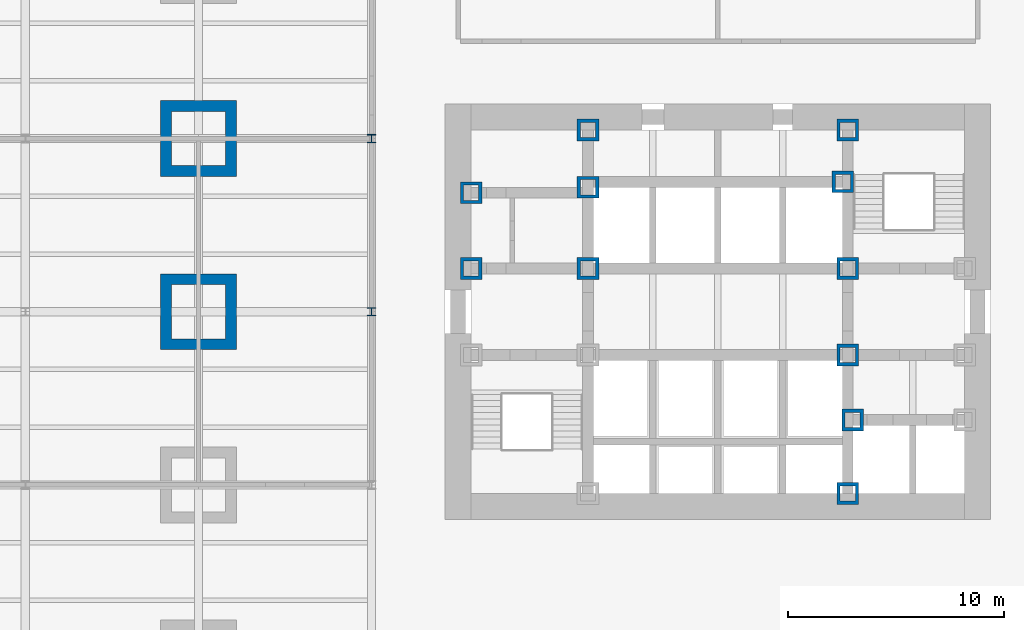
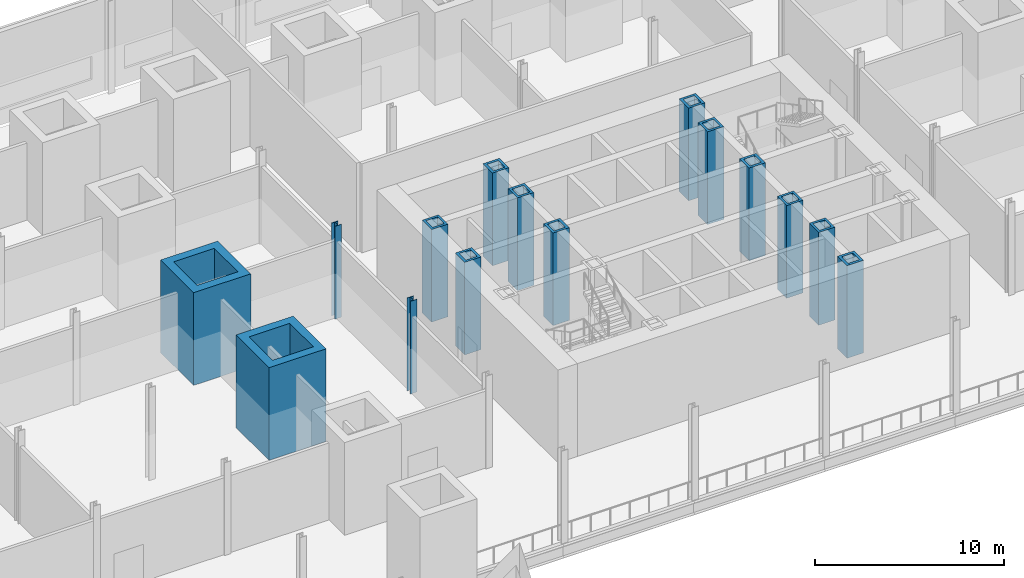
# One storey, part 4 of 21: 15 columns.
"""IFC4 building model written with IfcOpenShell, lengths in metres."""

from ifc_helpers import new_model, si_unit, direction, frame, origin, origin_2d, place, context, subcontext, project, spatial, hollow_rectangle, i_section, extrude, material, material_profile, profile_set, type_object, element, save


model = new_model("IFC4")

# Units and contexts
model_context = context("Model", 3, precision=1e-05, world=origin(), true_north=direction((0.0, 1.0)))
body_context = subcontext(model_context, "Body", "Model", "MODEL_VIEW")
ifc_project = project(units=[si_unit("LENGTHUNIT", "METRE"), si_unit("AREAUNIT", "SQUARE_METRE"), si_unit("VOLUMEUNIT", "CUBIC_METRE"), si_unit("PLANEANGLEUNIT", "RADIAN"), si_unit("MASSUNIT", "GRAM", prefix="KILO")], contexts=[model_context])

# Site, building, storey
site_placement = place(None, origin())
site = spatial("IfcSite", under=ifc_project, at=site_placement, CompositionType="ELEMENT")
building_placement = place(site_placement, origin())
building = spatial("IfcBuilding", under=site, at=building_placement, Name="Daluyong Arena Tower", CompositionType="ELEMENT")
storey_placement = place(building_placement, frame((0.0, 0.0, 19.89990234375)))
storey = spatial("IfcBuildingStorey", under=building, at=storey_placement, Name="L04", CompositionType="ELEMENT", Elevation=19.89990234375)

# Columns
ifc_material_1 = material(Name="Steel ASTM A588 Grade 50", Category="steel")
ifc_material_profile_1 = material_profile(ifc_material_1, hollow_rectangle(XDim=1.0, YDim=1.0, WallThickness=0.15, at=origin_2d()))
ifc_profile_set_1 = profile_set([ifc_material_profile_1], Name="Steel ASTM A588 Grade 50")
column_type_1 = type_object("IfcColumnType", Name="Core boundary column BX1000X150", PredefinedType="COLUMN", material=ifc_profile_set_1)
for number, where, z_axis, x_axis, name in (
    (1, (44.60009765625, 82.0, 0.0), (0.0, 0.0, 1.0), (1.0, 0.0, 0.0), "core boundary column BC1"),
    (2, (44.60009765625, 85.5, 0.0), (0.0, 0.0, 1.0), (1.0, 0.0, 0.0), "core boundary column BC1"),
    (3, (50.0, 82.0, 0.0), (0.0, 0.0, 1.0), (1.0, 0.0, 0.0), "core boundary column BC1"),
    (4, (50.0, 85.75, 0.0), (0.0, 0.0, 1.0), (1.0, 0.0, 0.0), "core boundary column BC1"),
    (5, (50.0, 88.39990234375, 0.0), (0.0, 0.0, 1.0), (1.0, 0.0, 0.0), "core boundary column BC1"),
    (6, (61.77490234375, 86.0, 0.0), (0.0, 0.0, 1.0), (1.0, 0.0, 0.0), "core boundary column BC1"),
    (7, (62.0, 71.60009765625, 0.0), (0.0, 0.0, 1.0), (1.0, 0.0, 0.0), "core boundary column BC1"),
    (8, (62.0, 78.0, 0.0), (0.0, 0.0, 1.0), (1.0, 0.0, 0.0), "core boundary column BC1"),
    (9, (62.0, 82.0, 0.0), (0.0, 0.0, 1.0), (1.0, 0.0, 0.0), "core boundary column BC1"),
    (10, (62.0, 88.39990234375, 0.0), (0.0, 0.0, 1.0), (1.0, 0.0, 0.0), "core boundary column BC1"),
    (11, (62.22509765625, 75.0, 0.0), (0.0, 0.0, 1.0), (1.0, 0.0, 0.0), "core boundary column BC1"),
):
    element("IfcColumn", number, at=place(storey_placement, frame(where, z_axis=z_axis, x_axis=x_axis)), inside=storey, type_object=column_type_1, Name=name, PredefinedType="COLUMN", context=body_context, shape_type="SweptSolid", body=[
        extrude(hollow_rectangle(XDim=1.0, YDim=1.0, WallThickness=0.15, at=origin_2d()), origin(), (0.0, 0.0, 1.0), 6.0),
    ])
ifc_material_2 = material(Name="Steel ASTM A992 Grade 50", Category="steel")
ifc_material_profile_2 = material_profile(ifc_material_2, i_section(OverallWidth=0.398681640625, OverallDepth=0.385986328125, WebThickness=0.02099609375, FlangeThickness=0.033203125, at=origin_2d()))
ifc_profile_set_2 = profile_set([ifc_material_profile_2], Name="Steel ASTM A992 Grade 50")
column_type_2 = type_object("IfcColumnType", Name="Podium column W14X176", PredefinedType="COLUMN", material=ifc_profile_set_2)
for number, where, z_axis, x_axis, name in (
    (12, (40.0, 80.0, 0.0), (0.0, 0.0, 1.0), (1.0, 0.0, 0.0), "podium column PC3"),
    (13, (40.0, 88.0, 0.0), (0.0, 0.0, 1.0), (1.0, 0.0, 0.0), "podium column PC3"),
):
    element("IfcColumn", number, at=place(storey_placement, frame(where, z_axis=z_axis, x_axis=x_axis)), inside=storey, type_object=column_type_2, Name=name, PredefinedType="COLUMN", context=body_context, shape_type="SweptSolid", body=[
        extrude(i_section(OverallWidth=0.398681640625, OverallDepth=0.385986328125, WebThickness=0.02099609375, FlangeThickness=0.033203125, at=origin_2d()), origin(), (0.0, 0.0, 1.0), 6.0),
    ])
ifc_material_3 = material(Name="Steel ASTM A36", Category="steel")
ifc_material_profile_3 = material_profile(ifc_material_3, hollow_rectangle(XDim=3.5, YDim=3.5, WallThickness=0.5, at=origin_2d()))
ifc_profile_set_3 = profile_set([ifc_material_profile_3], Name="Steel ASTM A36")
column_type_3 = type_object("IfcColumnType", Name="Podium megacolumn BX3500X500", PredefinedType="COLUMN", material=ifc_profile_set_3)
for number, where, z_axis, x_axis, name in (
    (14, (32.0, 80.0, 0.0), (0.0, 0.0, 1.0), (1.0, 0.0, 0.0), "podium megacolumn MC1"),
    (15, (32.0, 88.0, 0.0), (0.0, 0.0, 1.0), (1.0, 0.0, 0.0), "podium megacolumn MC1"),
):
    element("IfcColumn", number, at=place(storey_placement, frame(where, z_axis=z_axis, x_axis=x_axis)), inside=storey, type_object=column_type_3, Name=name, PredefinedType="COLUMN", context=body_context, shape_type="SweptSolid", body=[
        extrude(hollow_rectangle(XDim=3.5, YDim=3.5, WallThickness=0.5, at=origin_2d()), origin(), (0.0, 0.0, 1.0), 6.0),
    ])

save(model, "model.ifc")
